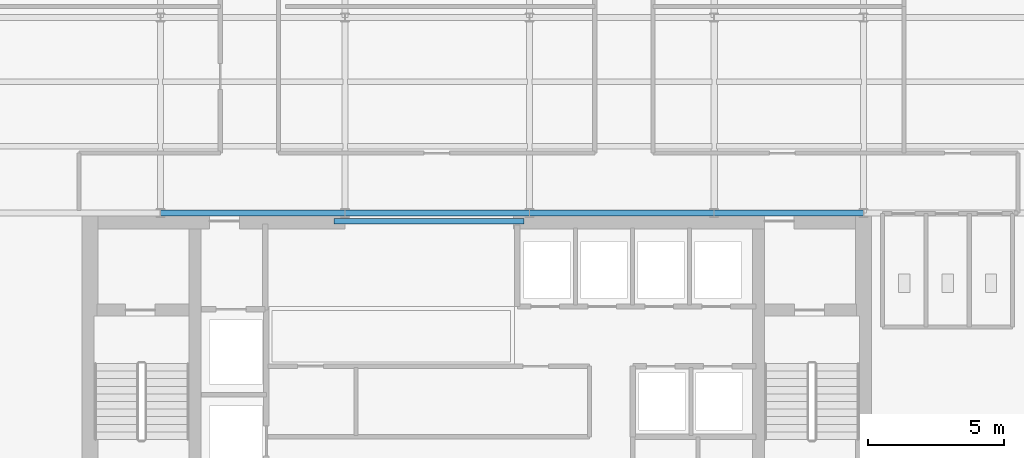
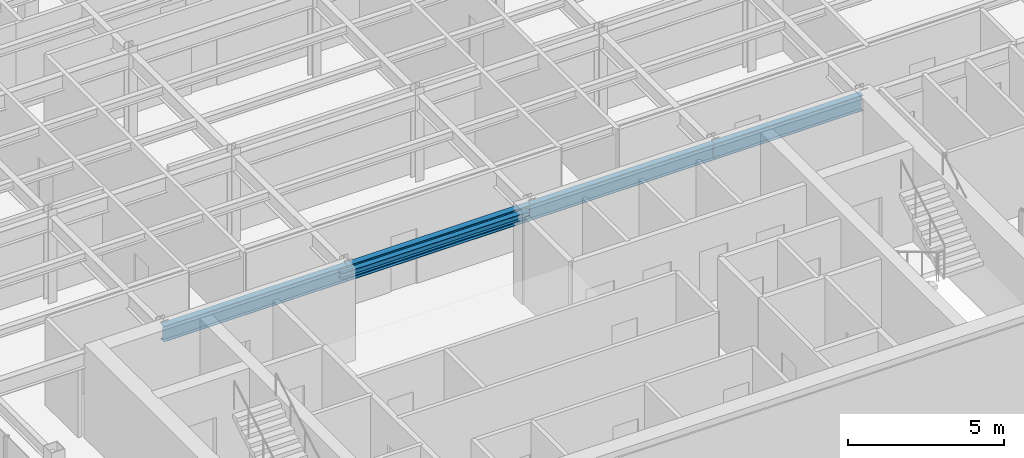
# One storey, part 4 of 22: 5 beams.
"""IFC4 building model written with IfcOpenShell, lengths in metres."""

from ifc_helpers import new_model, si_unit, derived_unit, direction, frame, origin, origin_2d, place, context, subcontext, project, spatial, i_section, extrude, source, transform, mapped, material, material_profile, profile_set, type_object, element, save


model = new_model("IFC4")

# Units and contexts
model_context = context("Model", 3, precision=1e-05, world=origin(), true_north=direction((0.0, 1.0)))
body_context = subcontext(model_context, "Body", "Model", "MODEL_VIEW")
ifc_project = project(units=[si_unit("LENGTHUNIT", "METRE"), si_unit("AREAUNIT", "SQUARE_METRE"), si_unit("VOLUMEUNIT", "CUBIC_METRE"), si_unit("PLANEANGLEUNIT", "RADIAN"), si_unit("MASSUNIT", "GRAM", prefix="KILO"), derived_unit("THERMALTRANSMITTANCEUNIT", [(si_unit("POWERUNIT", "WATT"), 1), (si_unit("LENGTHUNIT", "METRE"), -2), (si_unit("THERMODYNAMICTEMPERATUREUNIT", "KELVIN"), -1)])], contexts=[model_context])

# Site, building, storey
site_placement = place(None, origin())
site = spatial("IfcSite", under=ifc_project, at=site_placement, CompositionType="ELEMENT")
building_placement = place(site_placement, origin())
building = spatial("IfcBuilding", under=site, at=building_placement, Name="Skarnbrae Concourse Arena and Tower", CompositionType="ELEMENT")
storey_placement = place(building_placement, frame((0.0, 0.0, 255.14990234375)))
storey = spatial("IfcBuildingStorey", under=building, at=storey_placement, Name="L66", CompositionType="ELEMENT", Elevation=255.14990234375)

# Beams
ifc_material = material(Name="Steel CSA G40.21 350W", Category="steel")
ifc_material_profile_1 = material_profile(ifc_material, i_section(OverallWidth=0.202880859375, OverallDepth=0.251953125, WebThickness=0.008056640625, FlangeThickness=0.013427734375, at=origin_2d()), Name="W250X58")
ifc_profile_set_1 = profile_set([ifc_material_profile_1], Name="Steel CSA G40.21 350W")
beam_type_1 = type_object("IfcBeamType", Name="BM-LINTEL-W250X58", PredefinedType="LINTEL", material=ifc_profile_set_1)
shared_shape_1 = source(origin(), body_context, "Body", "SweptSolid", [
    extrude(i_section(OverallWidth=0.202880859375, OverallDepth=0.251953125, WebThickness=0.008056640625, FlangeThickness=0.013427734375, at=origin_2d()), origin(), (0.0, 0.0, 1.0), 7.0),
])
beam_1_placement = place(storey_placement, frame((14.0, 13.699951171875, 3.274169921875), z_axis=(1.0, 0.0, 0.0), x_axis=(0.0, 1.0, 0.0)))
element("IfcBeam", 1, at=beam_1_placement, inside=storey, type_object=beam_type_1, Name="L66 Core portal coupling lintel", PredefinedType="LINTEL", context=body_context, shape_type="MappedRepresentation", body=[
    mapped(shared_shape_1, transform((0.0, 0.0, 0.0))),
])
ifc_material_profile_2 = material_profile(ifc_material, i_section(OverallWidth=0.22802734375, OverallDepth=0.60791015625, WebThickness=0.01123046875, FlangeThickness=0.017333984375, at=origin_2d()), Name="W610X113")
ifc_profile_set_2 = profile_set([ifc_material_profile_2], Name="Steel CSA G40.21 350W")
beam_type_2 = type_object("IfcBeamType", Name="BM-GIRD-W610X113", PredefinedType="BEAM", material=ifc_profile_set_2)
shared_shape_2 = source(origin(), body_context, "Body", "SweptSolid", [
    extrude(i_section(OverallWidth=0.22802734375, OverallDepth=0.60791015625, WebThickness=0.01123046875, FlangeThickness=0.017333984375, at=origin_2d()), origin(), (0.0, 0.0, 1.0), 6.7998046875),
])
beam_2_placement = place(storey_placement, frame((7.60009765625, 14.0, 3.09619140625), z_axis=(1.0, 0.0, 0.0), x_axis=(0.0, 1.0, 0.0)))
element("IfcBeam", 2, at=beam_2_placement, inside=storey, type_object=beam_type_2, Name="L66 Primary E-W girder Y14.0-2", PredefinedType="BEAM", context=body_context, shape_type="MappedRepresentation", body=[
    mapped(shared_shape_2, transform((0.0, 0.0, 0.0))),
])
shared_shape_3 = source(origin(), body_context, "Body", "SweptSolid", [
    extrude(i_section(OverallWidth=0.22802734375, OverallDepth=0.60791015625, WebThickness=0.01123046875, FlangeThickness=0.017333984375, at=origin_2d()), origin(), (0.0, 0.0, 1.0), 6.800048828125),
])
for number, where, z_axis, x_axis, name in (
    (3, (14.39990234375, 14.0, 3.09619140625), (1.0, 0.0, 0.0), (0.0, 1.0, 0.0), "L66 Primary E-W girder Y14.0-3"),
    (4, (21.199951171875, 14.0, 3.09619140625), (1.0, 0.0, 0.0), (0.0, 1.0, 0.0), "L66 Primary E-W girder Y14.0-4"),
):
    element("IfcBeam", number, at=place(storey_placement, frame(where, z_axis=z_axis, x_axis=x_axis)), inside=storey, type_object=beam_type_2, Name=name, PredefinedType="BEAM", context=body_context, shape_type="MappedRepresentation", body=[
        mapped(shared_shape_3, transform((0.0, 0.0, 0.0))),
    ])
shared_shape_4 = source(origin(), body_context, "Body", "SweptSolid", [
    extrude(i_section(OverallWidth=0.22802734375, OverallDepth=0.60791015625, WebThickness=0.01123046875, FlangeThickness=0.017333984375, at=origin_2d()), origin(), (0.0, 0.0, 1.0), 5.5),
])
beam_3_placement = place(storey_placement, frame((28.0, 14.0, 3.09619140625), z_axis=(1.0, 0.0, 0.0), x_axis=(0.0, 1.0, 0.0)))
element("IfcBeam", 5, at=beam_3_placement, inside=storey, type_object=beam_type_2, Name="L66 Primary E-W girder Y14.0-5", PredefinedType="BEAM", context=body_context, shape_type="MappedRepresentation", body=[
    mapped(shared_shape_4, transform((0.0, 0.0, 0.0))),
])

save(model, "model.ifc")
